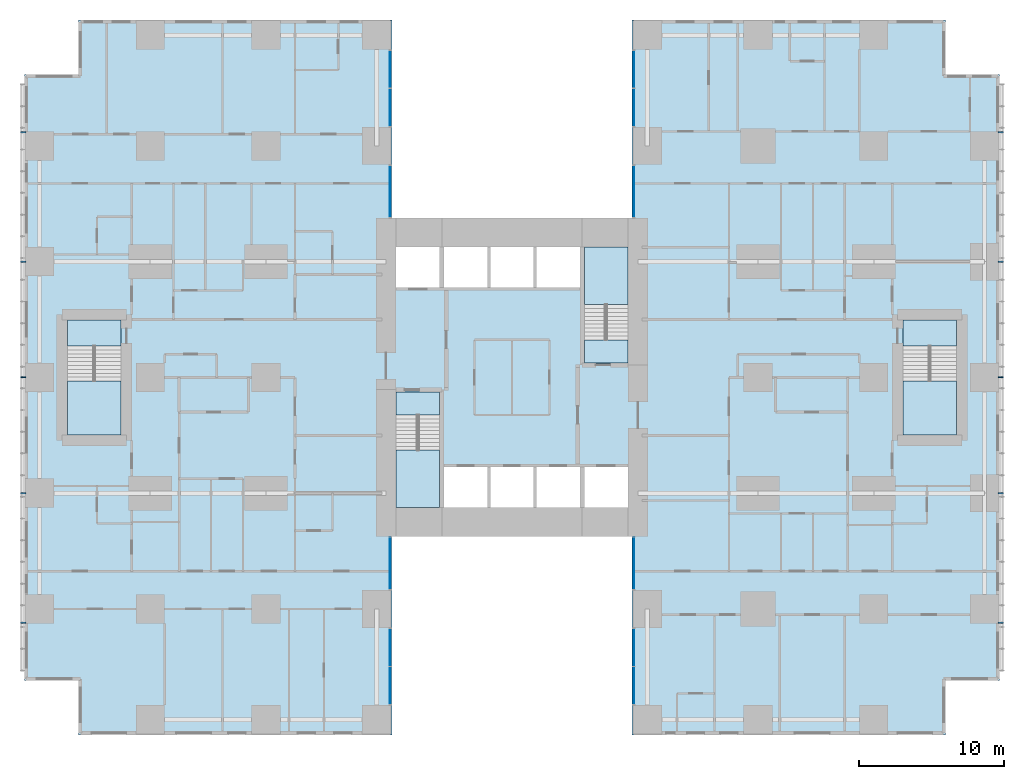
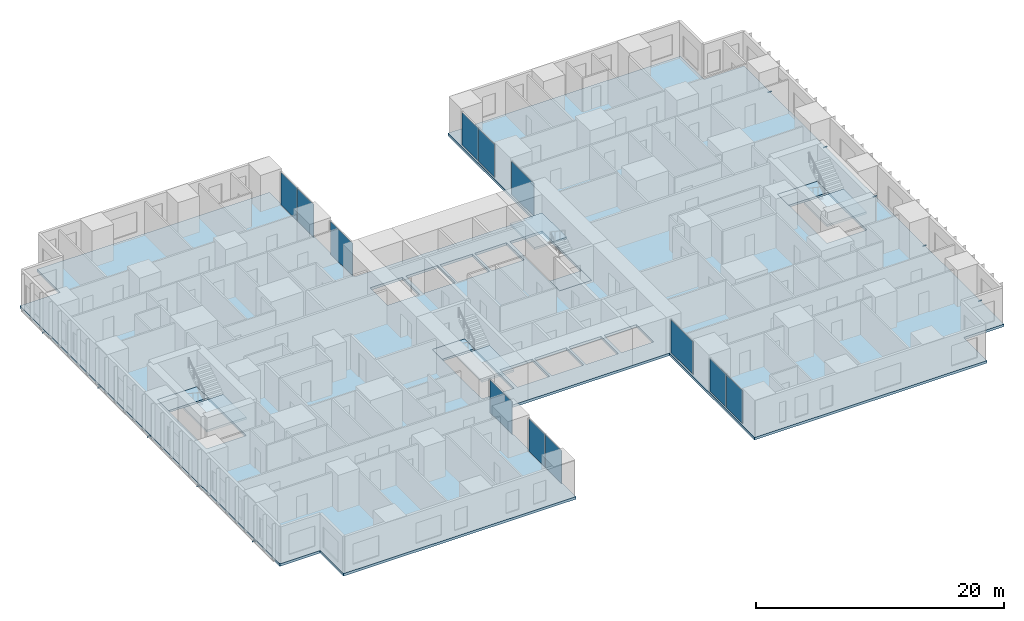
# One storey, part 7 of 20: 12 plates, 10 members, 9 slabs, 12 elements without a shape of their own.
"""IFC4 building model written with IfcOpenShell, lengths in metres."""

from ifc_helpers import new_model, si_unit, direction, frame, origin, origin_2d, place, context, subcontext, project, spatial, polyline, rectangle, hollow_rectangle, outline, extrude, material, layer, layer_set, material_profile, profile_set, type_object, element, aggregate, save


model = new_model("IFC4")

# Units and contexts
model_context = context("Model", 3, precision=1e-05, world=origin(), true_north=direction((0.0, 1.0)))
body_context = subcontext(model_context, "Body", "Model", "MODEL_VIEW")
ifc_project = project(units=[si_unit("LENGTHUNIT", "METRE"), si_unit("AREAUNIT", "SQUARE_METRE"), si_unit("VOLUMEUNIT", "CUBIC_METRE"), si_unit("PLANEANGLEUNIT", "RADIAN"), si_unit("MASSUNIT", "GRAM", prefix="KILO")], contexts=[model_context])

# Site, building, storey
site_placement = place(None, origin())
site = spatial("IfcSite", under=ifc_project, at=site_placement, CompositionType="ELEMENT")
building_placement = place(site_placement, origin())
building = spatial("IfcBuilding", under=site, at=building_placement, Name="Cleftline Residences", CompositionType="ELEMENT")
storey_placement = place(building_placement, frame((0.0, 0.0, 36.800048828125)))
storey = spatial("IfcBuildingStorey", under=building, at=storey_placement, Name="L08", CompositionType="ELEMENT", Elevation=36.800048828125)

# Members
ifc_material_1 = material(Name="Steel S355, hot-dip galvanised", Category="steel")
ifc_material_profile = material_profile(ifc_material_1, hollow_rectangle(XDim=0.10009765625, YDim=0.10009765625, WallThickness=0.008056640625, InnerFilletRadius=0.008056640625, OuterFilletRadius=0.011962890625, at=origin_2d()))
ifc_profile_set = profile_set([ifc_material_profile], Name="Steel S355, hot-dip galvanised")
member_type = type_object("IfcMemberType", Name="BAGUETTE BRACKET SHS 100X100X8", PredefinedType="USERDEFINED", material=ifc_profile_set)
for number, where, z_axis, x_axis, name in (
    (1, (66.60009765625, 7.050048828125, -0.150146484375), (1.0, 0.0, 0.0), (0.0, 1.0, 0.0), "Baguette bracket"),
    (2, (66.60009765625, 16.0, -0.150146484375), (1.0, 0.0, 0.0), (0.0, 1.0, 0.0), "Baguette bracket"),
    (3, (66.60009765625, 24.0, -0.150146484375), (1.0, 0.0, 0.0), (0.0, 1.0, 0.0), "Baguette bracket"),
    (4, (66.60009765625, 32.0, -0.150146484375), (1.0, 0.0, 0.0), (0.0, 1.0, 0.0), "Baguette bracket"),
    (5, (66.60009765625, 40.949951171875, -0.150146484375), (1.0, 0.0, 0.0), (0.0, 1.0, 0.0), "Baguette bracket"),
    (6, (-0.60009765625, 40.949951171875, -0.150146484375), (-1.0, 0.0, 0.0), (0.0, -1.0, 0.0), "Baguette bracket"),
    (7, (-0.60009765625, 32.0, -0.150146484375), (-1.0, 0.0, 0.0), (0.0, -1.0, 0.0), "Baguette bracket"),
    (8, (-0.60009765625, 24.0, -0.150146484375), (-1.0, 0.0, 0.0), (0.0, -1.0, 0.0), "Baguette bracket"),
    (9, (-0.60009765625, 16.0, -0.150146484375), (-1.0, 0.0, 0.0), (0.0, -1.0, 0.0), "Baguette bracket"),
    (10, (-0.60009765625, 7.050048828125, -0.150146484375), (-1.0, 0.0, 0.0), (0.0, -1.0, 0.0), "Baguette bracket"),
):
    element("IfcMember", number, at=place(storey_placement, frame(where, z_axis=z_axis, x_axis=x_axis)), inside=storey, type_object=member_type, Name=name, ObjectType="BAGUETTE BRACKET", PredefinedType="USERDEFINED", context=body_context, shape_type="SweptSolid", body=[
        extrude(hollow_rectangle(XDim=0.10009765625, YDim=0.10009765625, WallThickness=0.008056640625, InnerFilletRadius=0.008056640625, OuterFilletRadius=0.011962890625, at=origin_2d()), origin(), (0.0, 0.0, 1.0), 0.349853515625),
    ])

# Curtain wall, plates
ifc_material_2 = material(Name="Aluminium framed curtain wall", Category="aluminium")
ifc_layer_1 = layer(ifc_material_2, 0.199951171875)
ifc_layer_set_1 = layer_set([ifc_layer_1], Name="CW1 CLEFT GLAZING")
curtain_wall_type = type_object("IfcCurtainWallType", Name="CW1 CLEFT GLAZING", PredefinedType="NOTDEFINED", material=ifc_layer_set_1)
curtain_wall_1_placement = place(storey_placement, origin())
curtain_wall_1 = element("IfcCurtainWall", 11, at=curtain_wall_1_placement, inside=storey, type_object=curtain_wall_type, Name="Curtain wall CW1", PredefinedType="NOTDEFINED")
ifc_material_3 = material(Name="Laminated clear glass", Category="glass")
ifc_layer_2 = layer(ifc_material_3, 0.028076171875)
ifc_layer_set_2 = layer_set([ifc_layer_2], Name="CW1 GLASS PANEL")
plate_type = type_object("IfcPlateType", Name="CW1 GLASS PANEL", PredefinedType="CURTAIN_PANEL", material=ifc_layer_set_2)
plate_1_placement = place(storey_placement, frame((24.574951171875, 2.702392578125, 0.06005859375), z_axis=(0.0, 0.0, 1.0), x_axis=(0.0, 1.0, 0.0)))
plate_1 = element("IfcPlate", 12, at=plate_1_placement, type_object=plate_type, Name="CW1 panel 1.1", PredefinedType="CURTAIN_PANEL", context=body_context, shape_type="SweptSolid", body=[
    extrude(rectangle(XDim=2.5849609375, YDim=0.028076171875, at=origin_2d()), origin(), (0.0, 0.0, 1.0), 3.22998046875),
])
plate_2_placement = place(storey_placement, frame((24.574951171875, 5.347412109375, 0.06005859375), z_axis=(0.0, 0.0, 1.0), x_axis=(0.0, 1.0, 0.0)))
plate_2 = element("IfcPlate", 13, at=plate_2_placement, type_object=plate_type, Name="CW1 panel 2.1", PredefinedType="CURTAIN_PANEL", context=body_context, shape_type="SweptSolid", body=[
    extrude(rectangle(XDim=2.5849609375, YDim=0.028076171875, at=origin_2d()), origin(), (0.0, 0.0, 1.0), 3.22998046875),
])
aggregate(curtain_wall_1, [plate_1, plate_2])

# Curtain wall, plate
curtain_wall_2_placement = place(storey_placement, origin())
curtain_wall_2 = element("IfcCurtainWall", 14, at=curtain_wall_2_placement, inside=storey, type_object=curtain_wall_type, Name="Curtain wall CW1", PredefinedType="NOTDEFINED")
plate_3_placement = place(storey_placement, frame((24.574951171875, 11.14990234375, 0.06005859375), z_axis=(0.0, 0.0, 1.0), x_axis=(0.0, 1.0, 0.0)))
plate_3 = element("IfcPlate", 15, at=plate_3_placement, type_object=plate_type, Name="CW1 panel 1.1", PredefinedType="CURTAIN_PANEL", context=body_context, shape_type="SweptSolid", body=[
    extrude(rectangle(XDim=3.580078125, YDim=0.028076171875, at=origin_2d()), origin(), (0.0, 0.0, 1.0), 3.22998046875),
])
aggregate(curtain_wall_2, [plate_3])

curtain_wall_3_placement = place(storey_placement, origin())
curtain_wall_3 = element("IfcCurtainWall", 16, at=curtain_wall_3_placement, inside=storey, type_object=curtain_wall_type, Name="Curtain wall CW1", PredefinedType="NOTDEFINED")
plate_4_placement = place(storey_placement, frame((41.425048828125, 11.14990234375, 0.06005859375), z_axis=(0.0, 0.0, 1.0), x_axis=(0.0, -1.0, 0.0)))
plate_4 = element("IfcPlate", 17, at=plate_4_placement, type_object=plate_type, Name="CW1 panel 1.1", PredefinedType="CURTAIN_PANEL", context=body_context, shape_type="SweptSolid", body=[
    extrude(rectangle(XDim=3.580078125, YDim=0.028076171875, at=origin_2d()), origin(), (0.0, 0.0, 1.0), 3.22998046875),
])
aggregate(curtain_wall_3, [plate_4])

# Curtain wall, plates
curtain_wall_4_placement = place(storey_placement, origin())
curtain_wall_4 = element("IfcCurtainWall", 18, at=curtain_wall_4_placement, inside=storey, type_object=curtain_wall_type, Name="Curtain wall CW1", PredefinedType="NOTDEFINED")
plate_5_placement = place(storey_placement, frame((41.425048828125, 5.347412109375, 0.06005859375), z_axis=(0.0, 0.0, 1.0), x_axis=(0.0, -1.0, 0.0)))
plate_5 = element("IfcPlate", 19, at=plate_5_placement, type_object=plate_type, Name="CW1 panel 1.1", PredefinedType="CURTAIN_PANEL", context=body_context, shape_type="SweptSolid", body=[
    extrude(rectangle(XDim=2.5849609375, YDim=0.028076171875, at=origin_2d()), origin(), (0.0, 0.0, 1.0), 3.22998046875),
])
plate_6_placement = place(storey_placement, frame((41.425048828125, 2.702392578125, 0.06005859375), z_axis=(0.0, 0.0, 1.0), x_axis=(0.0, -1.0, 0.0)))
plate_6 = element("IfcPlate", 20, at=plate_6_placement, type_object=plate_type, Name="CW1 panel 2.1", PredefinedType="CURTAIN_PANEL", context=body_context, shape_type="SweptSolid", body=[
    extrude(rectangle(XDim=2.5849609375, YDim=0.028076171875, at=origin_2d()), origin(), (0.0, 0.0, 1.0), 3.22998046875),
])
aggregate(curtain_wall_4, [plate_5, plate_6])

curtain_wall_5_placement = place(storey_placement, origin())
curtain_wall_5 = element("IfcCurtainWall", 21, at=curtain_wall_5_placement, inside=storey, type_object=curtain_wall_type, Name="Curtain wall CW1", PredefinedType="NOTDEFINED")
plate_7_placement = place(storey_placement, frame((41.425048828125, 45.297607421875, 0.06005859375), z_axis=(0.0, 0.0, 1.0), x_axis=(0.0, -1.0, 0.0)))
plate_7 = element("IfcPlate", 22, at=plate_7_placement, type_object=plate_type, Name="CW1 panel 1.1", PredefinedType="CURTAIN_PANEL", context=body_context, shape_type="SweptSolid", body=[
    extrude(rectangle(XDim=2.5849609375, YDim=0.028076171875, at=origin_2d()), origin(), (0.0, 0.0, 1.0), 3.22998046875),
])
plate_8_placement = place(storey_placement, frame((41.425048828125, 42.652587890625, 0.06005859375), z_axis=(0.0, 0.0, 1.0), x_axis=(0.0, -1.0, 0.0)))
plate_8 = element("IfcPlate", 23, at=plate_8_placement, type_object=plate_type, Name="CW1 panel 2.1", PredefinedType="CURTAIN_PANEL", context=body_context, shape_type="SweptSolid", body=[
    extrude(rectangle(XDim=2.5849609375, YDim=0.028076171875, at=origin_2d()), origin(), (0.0, 0.0, 1.0), 3.22998046875),
])
aggregate(curtain_wall_5, [plate_7, plate_8])

# Curtain wall, plate
curtain_wall_6_placement = place(storey_placement, origin())
curtain_wall_6 = element("IfcCurtainWall", 24, at=curtain_wall_6_placement, inside=storey, type_object=curtain_wall_type, Name="Curtain wall CW1", PredefinedType="NOTDEFINED")
plate_9_placement = place(storey_placement, frame((41.425048828125, 36.85009765625, 0.06005859375), z_axis=(0.0, 0.0, 1.0), x_axis=(0.0, -1.0, 0.0)))
plate_9 = element("IfcPlate", 25, at=plate_9_placement, type_object=plate_type, Name="CW1 panel 1.1", PredefinedType="CURTAIN_PANEL", context=body_context, shape_type="SweptSolid", body=[
    extrude(rectangle(XDim=3.580078125, YDim=0.028076171875, at=origin_2d()), origin(), (0.0, 0.0, 1.0), 3.22998046875),
])
aggregate(curtain_wall_6, [plate_9])

curtain_wall_7_placement = place(storey_placement, origin())
curtain_wall_7 = element("IfcCurtainWall", 26, at=curtain_wall_7_placement, inside=storey, type_object=curtain_wall_type, Name="Curtain wall CW1", PredefinedType="NOTDEFINED")
plate_10_placement = place(storey_placement, frame((24.574951171875, 36.85009765625, 0.06005859375), z_axis=(0.0, 0.0, 1.0), x_axis=(0.0, 1.0, 0.0)))
plate_10 = element("IfcPlate", 27, at=plate_10_placement, type_object=plate_type, Name="CW1 panel 1.1", PredefinedType="CURTAIN_PANEL", context=body_context, shape_type="SweptSolid", body=[
    extrude(rectangle(XDim=3.580078125, YDim=0.028076171875, at=origin_2d()), origin(), (0.0, 0.0, 1.0), 3.22998046875),
])
aggregate(curtain_wall_7, [plate_10])

# Curtain wall, plates
curtain_wall_8_placement = place(storey_placement, origin())
curtain_wall_8 = element("IfcCurtainWall", 28, at=curtain_wall_8_placement, inside=storey, type_object=curtain_wall_type, Name="Curtain wall CW1", PredefinedType="NOTDEFINED")
plate_11_placement = place(storey_placement, frame((24.574951171875, 42.652587890625, 0.06005859375), z_axis=(0.0, 0.0, 1.0), x_axis=(0.0, 1.0, 0.0)))
plate_11 = element("IfcPlate", 29, at=plate_11_placement, type_object=plate_type, Name="CW1 panel 1.1", PredefinedType="CURTAIN_PANEL", context=body_context, shape_type="SweptSolid", body=[
    extrude(rectangle(XDim=2.5849609375, YDim=0.028076171875, at=origin_2d()), origin(), (0.0, 0.0, 1.0), 3.22998046875),
])
plate_12_placement = place(storey_placement, frame((24.574951171875, 45.297607421875, 0.06005859375), z_axis=(0.0, 0.0, 1.0), x_axis=(0.0, 1.0, 0.0)))
plate_12 = element("IfcPlate", 30, at=plate_12_placement, type_object=plate_type, Name="CW1 panel 2.1", PredefinedType="CURTAIN_PANEL", context=body_context, shape_type="SweptSolid", body=[
    extrude(rectangle(XDim=2.5849609375, YDim=0.028076171875, at=origin_2d()), origin(), (0.0, 0.0, 1.0), 3.22998046875),
])
aggregate(curtain_wall_8, [plate_11, plate_12])

# Slab
ifc_material_4 = material(Name="Concrete B45", Category="concrete")
ifc_layer_3 = layer(ifc_material_4, 0.25)
ifc_layer_set_3 = layer_set([ifc_layer_3], Name="FLOOR SLAB 250")
slab_type_1 = type_object("IfcSlabType", Name="FLOOR SLAB 250", PredefinedType="FLOOR", material=ifc_layer_set_3)
slab_1_placement = place(storey_placement, frame((0.0, 0.0, -0.25)))
element("IfcSlab", 31, at=slab_1_placement, inside=storey, type_object=slab_type_1, Name="Floor slab L08", PredefinedType="FLOOR", context=body_context, shape_type="SweptSolid", body=[
    extrude(outline(polyline([(24.699951171875, 13.0), (41.300048828125, 13.0), (41.300048828125, -0.699951171875), (62.949951171875, -0.699951171875), (62.949951171875, 3.050048828125), (66.699951171875, 3.050048828125), (66.699951171875, 44.949951171875), (62.949951171875, 44.949951171875), (62.949951171875, 48.699951171875), (41.300048828125, 48.699951171875), (41.300048828125, 35.0), (24.699951171875, 35.0), (24.699951171875, 48.699951171875), (3.050048828125, 48.699951171875), (3.050048828125, 44.949951171875), (-0.699951171875, 44.949951171875), (-0.699951171875, 3.050048828125), (3.050048828125, 3.050048828125), (3.050048828125, -0.699951171875), (24.699951171875, -0.699951171875), (24.699951171875, 13.0)]), holes=[polyline([(28.0, 15.0), (28.0, 23.0), (25.0, 23.0), (25.0, 15.0), (28.0, 15.0)]), polyline([(41.0, 25.0), (41.0, 33.0), (38.0, 33.0), (38.0, 25.0), (41.0, 25.0)]), polyline([(28.0, 30.199951171875), (28.0, 33.0), (25.0, 33.0), (25.0, 30.199951171875), (28.0, 30.199951171875)]), polyline([(41.0, 15.0), (41.0, 17.800048828125), (38.0, 17.800048828125), (38.0, 15.0), (41.0, 15.0)]), polyline([(31.300048828125, 15.0), (31.300048828125, 17.800048828125), (28.300048828125, 17.800048828125), (28.300048828125, 15.0), (31.300048828125, 15.0)]), polyline([(34.5, 15.0), (34.5, 17.800048828125), (31.5, 17.800048828125), (31.5, 15.0), (34.5, 15.0)]), polyline([(37.699951171875, 15.0), (37.699951171875, 17.800048828125), (34.699951171875, 17.800048828125), (34.699951171875, 15.0), (37.699951171875, 15.0)]), polyline([(31.300048828125, 30.199951171875), (31.300048828125, 33.0), (28.300048828125, 33.0), (28.300048828125, 30.199951171875), (31.300048828125, 30.199951171875)]), polyline([(34.5, 30.199951171875), (34.5, 33.0), (31.5, 33.0), (31.5, 30.199951171875), (34.5, 30.199951171875)]), polyline([(37.699951171875, 30.199951171875), (37.699951171875, 33.0), (34.699951171875, 33.0), (34.699951171875, 30.199951171875), (37.699951171875, 30.199951171875)]), polyline([(63.72509765625, 20.02490234375), (63.72509765625, 27.97509765625), (60.02490234375, 27.97509765625), (60.02490234375, 20.02490234375), (63.72509765625, 20.02490234375)]), polyline([(5.97509765625, 20.02490234375), (5.97509765625, 27.97509765625), (2.27490234375, 27.97509765625), (2.27490234375, 20.02490234375), (5.97509765625, 20.02490234375)])]), origin(), (0.0, 0.0, 1.0), 0.25),
])

# Stair, slabs
ifc_material_5 = material(Name="Concrete B45, stone treads", Category="masonry")
stair_type_1 = type_object("IfcStairType", Name="STAIR A 1450 WIDE 180 RISER", PredefinedType="HALF_TURN_STAIR", material=ifc_material_5)
stair_1_placement = place(storey_placement, origin())
stair_1 = element("IfcStair", 32, at=stair_1_placement, inside=storey, type_object=stair_type_1, Name="Stair A L08", PredefinedType="HALF_TURN_STAIR")
ifc_material_6 = material(Name="Concrete B45", Category="concrete")
ifc_layer_4 = layer(ifc_material_6, 0.199951171875)
ifc_layer_set_4 = layer_set([ifc_layer_4], Name="STAIR LANDING 200")
slab_type_2 = type_object("IfcSlabType", Name="STAIR LANDING 200", PredefinedType="LANDING", material=ifc_layer_set_4)
slab_2_placement = place(storey_placement, frame((0.0, 0.0, -0.199951171875)))
slab_2 = element("IfcSlab", 33, at=slab_2_placement, type_object=slab_type_2, Name="ST-A landing 1", PredefinedType="LANDING", context=body_context, shape_type="SweptSolid", body=[
    extrude(outline(polyline([(25.0, 21.39990234375), (28.0, 21.39990234375), (28.0, 23.0), (25.0, 23.0), (25.0, 21.39990234375)])), origin(), (0.0, 0.0, 1.0), 0.199951171875),
])
slab_3_placement = place(storey_placement, frame((0.0, 0.0, 1.599853515625)))
slab_3 = element("IfcSlab", 34, at=slab_3_placement, type_object=slab_type_2, Name="ST-A landing 2", PredefinedType="LANDING", context=body_context, shape_type="SweptSolid", body=[
    extrude(outline(polyline([(25.0, 15.0), (28.0, 15.0), (28.0, 18.969970703125), (25.0, 18.969970703125), (25.0, 15.0)])), origin(), (0.0, 0.0, 1.0), 0.2001953125),
])
aggregate(stair_1, [slab_2, slab_3])

ifc_material_7 = material(Name="Concrete B45, stone treads", Category="masonry")
stair_type_2 = type_object("IfcStairType", Name="STAIR B 1450 WIDE 180 RISER", PredefinedType="HALF_TURN_STAIR", material=ifc_material_7)
stair_2_placement = place(storey_placement, origin())
stair_2 = element("IfcStair", 35, at=stair_2_placement, inside=storey, type_object=stair_type_2, Name="Stair B L08", PredefinedType="HALF_TURN_STAIR")
slab_4_placement = place(storey_placement, frame((0.0, 0.0, -0.199951171875)))
slab_4 = element("IfcSlab", 36, at=slab_4_placement, type_object=slab_type_2, Name="ST-B landing 1", PredefinedType="LANDING", context=body_context, shape_type="SweptSolid", body=[
    extrude(outline(polyline([(38.0, 25.0), (41.0, 25.0), (41.0, 26.60009765625), (38.0, 26.60009765625), (38.0, 25.0)])), origin(), (0.0, 0.0, 1.0), 0.199951171875),
])
slab_5_placement = place(storey_placement, frame((0.0, 0.0, 1.599853515625)))
slab_5 = element("IfcSlab", 37, at=slab_5_placement, type_object=slab_type_2, Name="ST-B landing 2", PredefinedType="LANDING", context=body_context, shape_type="SweptSolid", body=[
    extrude(outline(polyline([(38.0, 29.030029296875), (41.0, 29.030029296875), (41.0, 33.0), (38.0, 33.0), (38.0, 29.030029296875)])), origin(), (0.0, 0.0, 1.0), 0.2001953125),
])
aggregate(stair_2, [slab_4, slab_5])

ifc_material_8 = material(Name="Concrete B45, stone treads", Category="masonry")
stair_type_3 = type_object("IfcStairType", Name="STAIR E 1800 WIDE 180 RISER", PredefinedType="HALF_TURN_STAIR", material=ifc_material_8)
stair_3_placement = place(storey_placement, origin())
stair_3 = element("IfcStair", 38, at=stair_3_placement, inside=storey, type_object=stair_type_3, Name="Stair E L08", PredefinedType="HALF_TURN_STAIR")
slab_6_placement = place(storey_placement, frame((0.0, 0.0, -0.199951171875)))
slab_6 = element("IfcSlab", 39, at=slab_6_placement, type_object=slab_type_2, Name="ST-E landing 1", PredefinedType="LANDING", context=body_context, shape_type="SweptSolid", body=[
    extrude(outline(polyline([(60.02490234375, 26.175048828125), (63.72509765625, 26.175048828125), (63.72509765625, 27.97509765625), (60.02490234375, 27.97509765625), (60.02490234375, 26.175048828125)])), origin(), (0.0, 0.0, 1.0), 0.199951171875),
])
slab_7_placement = place(storey_placement, frame((0.0, 0.0, 1.599853515625)))
slab_7 = element("IfcSlab", 40, at=slab_7_placement, type_object=slab_type_2, Name="ST-E landing 2", PredefinedType="LANDING", context=body_context, shape_type="SweptSolid", body=[
    extrude(outline(polyline([(60.02490234375, 20.02490234375), (63.72509765625, 20.02490234375), (63.72509765625, 23.7451171875), (60.02490234375, 23.7451171875), (60.02490234375, 20.02490234375)])), origin(), (0.0, 0.0, 1.0), 0.2001953125),
])
aggregate(stair_3, [slab_6, slab_7])

ifc_material_9 = material(Name="Concrete B45, stone treads", Category="masonry")
stair_type_4 = type_object("IfcStairType", Name="STAIR W 1800 WIDE 180 RISER", PredefinedType="HALF_TURN_STAIR", material=ifc_material_9)
stair_4_placement = place(storey_placement, origin())
stair_4 = element("IfcStair", 41, at=stair_4_placement, inside=storey, type_object=stair_type_4, Name="Stair W L08", PredefinedType="HALF_TURN_STAIR")
slab_8_placement = place(storey_placement, frame((0.0, 0.0, -0.199951171875)))
slab_8 = element("IfcSlab", 42, at=slab_8_placement, type_object=slab_type_2, Name="ST-W landing 1", PredefinedType="LANDING", context=body_context, shape_type="SweptSolid", body=[
    extrude(outline(polyline([(2.27490234375, 26.175048828125), (5.97509765625, 26.175048828125), (5.97509765625, 27.97509765625), (2.27490234375, 27.97509765625), (2.27490234375, 26.175048828125)])), origin(), (0.0, 0.0, 1.0), 0.199951171875),
])
slab_9_placement = place(storey_placement, frame((0.0, 0.0, 1.599853515625)))
slab_9 = element("IfcSlab", 43, at=slab_9_placement, type_object=slab_type_2, Name="ST-W landing 2", PredefinedType="LANDING", context=body_context, shape_type="SweptSolid", body=[
    extrude(outline(polyline([(2.27490234375, 20.02490234375), (5.97509765625, 20.02490234375), (5.97509765625, 23.7451171875), (2.27490234375, 23.7451171875), (2.27490234375, 20.02490234375)])), origin(), (0.0, 0.0, 1.0), 0.2001953125),
])
aggregate(stair_4, [slab_8, slab_9])

save(model, "model.ifc")
